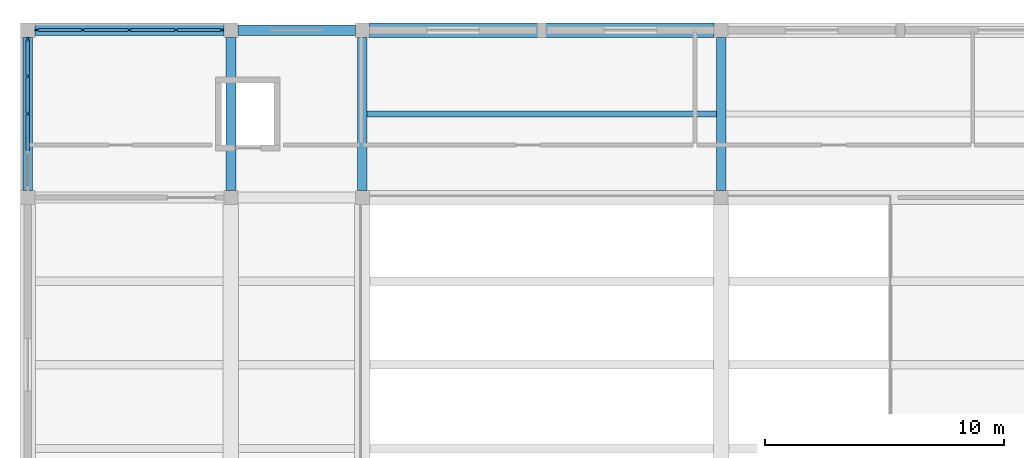
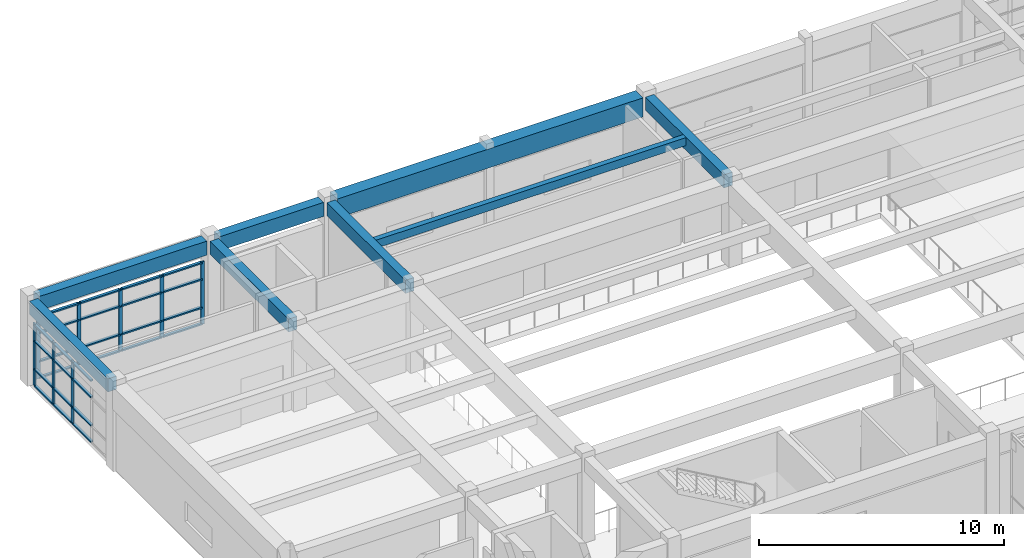
# One storey, part 29 of 72: 36 members, 8 beams, 2 elements without a shape of their own.
"""IFC4 building model written with IfcOpenShell, lengths in metres."""

from ifc_helpers import new_model, si_unit, direction, frame, origin, origin_2d, place, context, subcontext, project, spatial, rectangle, extrude, material, layer, layer_set, material_profile, profile_set, type_object, element, aggregate, save


model = new_model("IFC4")

# Units and contexts
model_context = context("Model", 3, precision=1e-05, world=origin(), true_north=direction((0.0, 1.0)))
body_context = subcontext(model_context, "Body", "Model", "MODEL_VIEW")
ifc_project = project(units=[si_unit("LENGTHUNIT", "METRE"), si_unit("AREAUNIT", "SQUARE_METRE"), si_unit("VOLUMEUNIT", "CUBIC_METRE"), si_unit("PLANEANGLEUNIT", "RADIAN"), si_unit("MASSUNIT", "GRAM", prefix="KILO")], contexts=[model_context])

# Site, building, storey
site_placement = place(None, origin())
site = spatial("IfcSite", under=ifc_project, at=site_placement, CompositionType="ELEMENT")
building_placement = place(site_placement, origin())
building = spatial("IfcBuilding", under=site, at=building_placement, Name="Naurynzar Civic Courthouse", CompositionType="ELEMENT")
storey_placement = place(building_placement, frame((0.0, 0.0, 9.89990234375)))
storey = spatial("IfcBuildingStorey", under=building, at=storey_placement, Name="L03", CompositionType="ELEMENT", Elevation=9.89990234375)

# Beams
ifc_material_1 = material(Name="Concrete C40/50", Category="concrete")
ifc_material_profile_1 = material_profile(ifc_material_1, rectangle(XDim=0.25, YDim=0.39990234375, at=origin_2d()), Name="RCB 250x400")
ifc_profile_set_1 = profile_set([ifc_material_profile_1], Name="Concrete C40/50")
beam_type_1 = type_object("IfcBeamType", Name="BM-JST-250x400", PredefinedType="JOIST", material=ifc_profile_set_1)
beam_1_placement = place(storey_placement, frame((20.199951171875, 68.5, 4.030029296875), z_axis=(1.0, 0.0, 0.0), x_axis=(0.0, 1.0, 0.0)))
element("IfcBeam", 1, at=beam_1_placement, inside=storey, type_object=beam_type_1, Name="V1 secondary rib 219 L03", PredefinedType="JOIST", context=body_context, shape_type="SweptSolid", body=[
    extrude(rectangle(XDim=0.25, YDim=0.39990234375, at=origin_2d()), origin(), (0.0, 0.0, 1.0), 14.60009765625),
])
ifc_material_2 = material(Name="Concrete C40/50", Category="concrete")
ifc_material_profile_2 = material_profile(ifc_material_2, rectangle(XDim=0.60009765625, YDim=0.949951171875, at=origin_2d()), Name="PTB 600x950")
ifc_profile_set_2 = profile_set([ifc_material_profile_2], Name="Concrete C40/50")
beam_type_2 = type_object("IfcBeamType", Name="BM-PT-600x950", PredefinedType="T_BEAM", material=ifc_profile_set_2)
beam_2_placement = place(storey_placement, frame((20.300048828125, 72.0, 3.755126953125), z_axis=(1.0, 0.0, 0.0), x_axis=(0.0, 1.0, 0.0)))
element("IfcBeam", 2, at=beam_2_placement, inside=storey, type_object=beam_type_2, Name="V1 beam X-182 L03", PredefinedType="T_BEAM", context=body_context, shape_type="SweptSolid", body=[
    extrude(rectangle(XDim=0.60009765625, YDim=0.949951171875, at=origin_2d()), origin(), (0.0, 0.0, 1.0), 14.39990234375),
])
ifc_material_3 = material(Name="Concrete C40/50", Category="concrete")
ifc_material_profile_3 = material_profile(ifc_material_3, rectangle(XDim=0.39990234375, YDim=0.64990234375, at=origin_2d()), Name="RCB 400x650")
ifc_profile_set_3 = profile_set([ifc_material_profile_3], Name="Concrete C40/50")
beam_type_3 = type_object("IfcBeamType", Name="BM-RC-400x650", PredefinedType="BEAM", material=ifc_profile_set_3)
for number, where, z_axis, x_axis, name in (
    (3, (6.0, 65.300048828125, 3.905029296875), (0.0, 1.0, 0.0), (-1.0, 0.0, 0.0), "V1 girder Y-187 L03"),
    (4, (14.5, 65.300048828125, 3.905029296875), (0.0, 1.0, 0.0), (-1.0, 0.0, 0.0), "V1 girder Y-190 L03"),
    (5, (20.0, 65.300048828125, 3.905029296875), (0.0, 1.0, 0.0), (-1.0, 0.0, 0.0), "V1 girder Y-193 L03"),
    (6, (35.0, 65.300048828125, 3.905029296875), (0.0, 1.0, 0.0), (-1.0, 0.0, 0.0), "V1 girder Y-196 L03"),
):
    element("IfcBeam", number, at=place(storey_placement, frame(where, z_axis=z_axis, x_axis=x_axis)), inside=storey, type_object=beam_type_3, Name=name, PredefinedType="BEAM", context=body_context, shape_type="SweptSolid", body=[
        extrude(rectangle(XDim=0.39990234375, YDim=0.64990234375, at=origin_2d()), origin(), (0.0, 0.0, 1.0), 6.39990234375),
    ])
ifc_material_4 = material(Name="Concrete C40/50", Category="concrete")
ifc_material_profile_4 = material_profile(ifc_material_4, rectangle(XDim=0.449951171875, YDim=0.699951171875, at=origin_2d()), Name="RCB 450x700")
ifc_profile_set_4 = profile_set([ifc_material_profile_4], Name="Concrete C40/50")
beam_type_4 = type_object("IfcBeamType", Name="BM-RC-450x700", PredefinedType="BEAM", material=ifc_profile_set_4)
beam_3_placement = place(storey_placement, frame((6.300048828125, 72.0, 3.880126953125), z_axis=(1.0, 0.0, 0.0), x_axis=(0.0, 1.0, 0.0)))
element("IfcBeam", 7, at=beam_3_placement, inside=storey, type_object=beam_type_4, Name="V1 beam X-180 L03", PredefinedType="BEAM", context=body_context, shape_type="SweptSolid", body=[
    extrude(rectangle(XDim=0.449951171875, YDim=0.699951171875, at=origin_2d()), origin(), (0.0, 0.0, 1.0), 7.89990234375),
])
beam_4_placement = place(storey_placement, frame((14.800048828125, 72.0, 3.880126953125), z_axis=(1.0, 0.0, 0.0), x_axis=(0.0, 1.0, 0.0)))
element("IfcBeam", 8, at=beam_4_placement, inside=storey, type_object=beam_type_4, Name="V1 beam X-181 L03", PredefinedType="BEAM", context=body_context, shape_type="SweptSolid", body=[
    extrude(rectangle(XDim=0.449951171875, YDim=0.699951171875, at=origin_2d()), origin(), (0.0, 0.0, 1.0), 4.89990234375),
])

# Curtain wall, members
ifc_material_5 = material(Name="Aluminium 6063-T6", Category="aluminium")
ifc_layer = layer(ifc_material_5, 0.159912109375)
ifc_layer_set = layer_set([ifc_layer], Name="CW-UNIT-1800")
curtain_wall_type = type_object("IfcCurtainWallType", Name="CW-UNIT-1800", PredefinedType="NOTDEFINED", material=ifc_layer_set)
curtain_wall_1_placement = place(storey_placement, origin())
curtain_wall_1 = element("IfcCurtainWall", 9, at=curtain_wall_1_placement, inside=storey, type_object=curtain_wall_type, Name="V1 unitised curtain wall 8 L03", PredefinedType="NOTDEFINED")
ifc_material_6 = material(Name="Aluminium 6063-T6", Category="aluminium")
ifc_material_profile_5 = material_profile(ifc_material_6, rectangle(XDim=0.070068359375, YDim=0.179931640625, at=origin_2d()), Name="ALU MULLION 70x180")
ifc_profile_set_5 = profile_set([ifc_material_profile_5], Name="Aluminium 6063-T6")
member_type_1 = type_object("IfcMemberType", Name="CWM-70x180", PredefinedType="MULLION", material=ifc_profile_set_5)
member_1_placement = place(storey_placement, frame((6.0, 68.5, 0.0), z_axis=(0.0, 0.0, 1.0), x_axis=(-1.0, 0.0, 0.0)))
member_1 = element("IfcMember", 10, at=member_1_placement, type_object=member_type_1, Name="CW-02 mullion 3", PredefinedType="MULLION", context=body_context, shape_type="SweptSolid", body=[
    extrude(rectangle(XDim=0.070068359375, YDim=0.179931640625, at=origin_2d()), origin(), (0.0, 0.0, 1.0), 3.110107421875),
])
member_2_placement = place(storey_placement, frame((6.0, 70.074951171875, 0.0), z_axis=(0.0, 0.0, 1.0), x_axis=(-1.0, 0.0, 0.0)))
member_2 = element("IfcMember", 11, at=member_2_placement, type_object=member_type_1, Name="CW-02 mullion 4", PredefinedType="MULLION", context=body_context, shape_type="SweptSolid", body=[
    extrude(rectangle(XDim=0.070068359375, YDim=0.179931640625, at=origin_2d()), origin(), (0.0, 0.0, 1.0), 3.110107421875),
])
member_3_placement = place(storey_placement, frame((6.0, 71.614990234375, 0.0), z_axis=(0.0, 0.0, 1.0), x_axis=(-1.0, 0.0, 0.0)))
member_3 = element("IfcMember", 12, at=member_3_placement, type_object=member_type_1, Name="CW-02 mullion 5", PredefinedType="MULLION", context=body_context, shape_type="SweptSolid", body=[
    extrude(rectangle(XDim=0.070068359375, YDim=0.179931640625, at=origin_2d()), origin(), (0.0, 0.0, 1.0), 3.110107421875),
])

curtain_wall_2_placement = place(storey_placement, origin())
curtain_wall_2 = element("IfcCurtainWall", 13, at=curtain_wall_2_placement, inside=storey, type_object=curtain_wall_type, Name="V1 unitised curtain wall 9 L03", PredefinedType="NOTDEFINED")
member_4_placement = place(storey_placement, frame((6.385009765625, 72.0, 0.0), z_axis=(0.0, 0.0, 1.0), x_axis=(0.0, 1.0, 0.0)))
member_4 = element("IfcMember", 14, at=member_4_placement, type_object=member_type_1, Name="CW-02 mullion 1", PredefinedType="MULLION", context=body_context, shape_type="SweptSolid", body=[
    extrude(rectangle(XDim=0.070068359375, YDim=0.179931640625, at=origin_2d()), origin(), (0.0, 0.0, 1.0), 3.110107421875),
])
member_5_placement = place(storey_placement, frame((8.300048828125, 72.0, 0.0), z_axis=(0.0, 0.0, 1.0), x_axis=(0.0, 1.0, 0.0)))
member_5 = element("IfcMember", 15, at=member_5_placement, type_object=member_type_1, Name="CW-02 mullion 2", PredefinedType="MULLION", context=body_context, shape_type="SweptSolid", body=[
    extrude(rectangle(XDim=0.070068359375, YDim=0.179931640625, at=origin_2d()), origin(), (0.0, 0.0, 1.0), 3.110107421875),
])
member_6_placement = place(storey_placement, frame((10.25, 72.0, 0.0), z_axis=(0.0, 0.0, 1.0), x_axis=(0.0, 1.0, 0.0)))
member_6 = element("IfcMember", 16, at=member_6_placement, type_object=member_type_1, Name="CW-02 mullion 3", PredefinedType="MULLION", context=body_context, shape_type="SweptSolid", body=[
    extrude(rectangle(XDim=0.070068359375, YDim=0.179931640625, at=origin_2d()), origin(), (0.0, 0.0, 1.0), 3.110107421875),
])
member_7_placement = place(storey_placement, frame((12.199951171875, 72.0, 0.0), z_axis=(0.0, 0.0, 1.0), x_axis=(0.0, 1.0, 0.0)))
member_7 = element("IfcMember", 17, at=member_7_placement, type_object=member_type_1, Name="CW-02 mullion 4", PredefinedType="MULLION", context=body_context, shape_type="SweptSolid", body=[
    extrude(rectangle(XDim=0.070068359375, YDim=0.179931640625, at=origin_2d()), origin(), (0.0, 0.0, 1.0), 3.110107421875),
])
member_8_placement = place(storey_placement, frame((14.114990234375, 72.0, 0.0), z_axis=(0.0, 0.0, 1.0), x_axis=(0.0, 1.0, 0.0)))
member_8 = element("IfcMember", 18, at=member_8_placement, type_object=member_type_1, Name="CW-02 mullion 5", PredefinedType="MULLION", context=body_context, shape_type="SweptSolid", body=[
    extrude(rectangle(XDim=0.070068359375, YDim=0.179931640625, at=origin_2d()), origin(), (0.0, 0.0, 1.0), 3.110107421875),
])

# Member
ifc_material_7 = material(Name="Aluminium 6063-T6", Category="aluminium")
ifc_material_profile_6 = material_profile(ifc_material_7, rectangle(XDim=0.1298828125, YDim=0.070068359375, at=origin_2d()), Name="ALU TRANSOM 70x130")
ifc_profile_set_6 = profile_set([ifc_material_profile_6], Name="Aluminium 6063-T6")
member_type_2 = type_object("IfcMemberType", Name="CWT-70x130", PredefinedType="USERDEFINED", material=ifc_profile_set_6)
member_9_placement = place(storey_placement, frame((6.0, 66.9599609375, 0.03515625), z_axis=(0.0, 1.0, 0.0), x_axis=(-1.0, 0.0, 0.0)))
member_9 = element("IfcMember", 19, at=member_9_placement, type_object=member_type_2, Name="CW-02 transom 2.1", ObjectType="TRANSOM", PredefinedType="USERDEFINED", context=body_context, shape_type="SweptSolid", body=[
    extrude(rectangle(XDim=0.1298828125, YDim=0.070068359375, at=origin_2d()), origin(), (0.0, 0.0, 1.0), 1.505126953125),
])

member_10_placement = place(storey_placement, frame((6.0, 66.9599609375, 0.85009765625), z_axis=(0.0, 1.0, 0.0), x_axis=(-1.0, 0.0, 0.0)))
member_10 = element("IfcMember", 20, at=member_10_placement, type_object=member_type_2, Name="CW-02 transom 2.2", ObjectType="TRANSOM", PredefinedType="USERDEFINED", context=body_context, shape_type="SweptSolid", body=[
    extrude(rectangle(XDim=0.1298828125, YDim=0.070068359375, at=origin_2d()), origin(), (0.0, 0.0, 1.0), 1.505126953125),
])

member_11_placement = place(storey_placement, frame((6.0, 66.9599609375, 2.260009765625), z_axis=(0.0, 1.0, 0.0), x_axis=(-1.0, 0.0, 0.0)))
member_11 = element("IfcMember", 21, at=member_11_placement, type_object=member_type_2, Name="CW-02 transom 2.3", ObjectType="TRANSOM", PredefinedType="USERDEFINED", context=body_context, shape_type="SweptSolid", body=[
    extrude(rectangle(XDim=0.1298828125, YDim=0.070068359375, at=origin_2d()), origin(), (0.0, 0.0, 1.0), 1.505126953125),
])

member_12_placement = place(storey_placement, frame((6.0, 66.9599609375, 3.0751953125), z_axis=(0.0, 1.0, 0.0), x_axis=(-1.0, 0.0, 0.0)))
member_12 = element("IfcMember", 22, at=member_12_placement, type_object=member_type_2, Name="CW-02 transom 2.4", ObjectType="TRANSOM", PredefinedType="USERDEFINED", context=body_context, shape_type="SweptSolid", body=[
    extrude(rectangle(XDim=0.1298828125, YDim=0.070068359375, at=origin_2d()), origin(), (0.0, 0.0, 1.0), 1.505126953125),
])

member_13_placement = place(storey_placement, frame((6.0, 68.534912109375, 0.03515625), z_axis=(0.0, 1.0, 0.0), x_axis=(-1.0, 0.0, 0.0)))
member_13 = element("IfcMember", 23, at=member_13_placement, type_object=member_type_2, Name="CW-02 transom 3.1", ObjectType="TRANSOM", PredefinedType="USERDEFINED", context=body_context, shape_type="SweptSolid", body=[
    extrude(rectangle(XDim=0.1298828125, YDim=0.070068359375, at=origin_2d()), origin(), (0.0, 0.0, 1.0), 1.505126953125),
])

member_14_placement = place(storey_placement, frame((6.0, 68.534912109375, 0.85009765625), z_axis=(0.0, 1.0, 0.0), x_axis=(-1.0, 0.0, 0.0)))
member_14 = element("IfcMember", 24, at=member_14_placement, type_object=member_type_2, Name="CW-02 transom 3.2", ObjectType="TRANSOM", PredefinedType="USERDEFINED", context=body_context, shape_type="SweptSolid", body=[
    extrude(rectangle(XDim=0.1298828125, YDim=0.070068359375, at=origin_2d()), origin(), (0.0, 0.0, 1.0), 1.505126953125),
])

member_15_placement = place(storey_placement, frame((6.0, 68.534912109375, 2.260009765625), z_axis=(0.0, 1.0, 0.0), x_axis=(-1.0, 0.0, 0.0)))
member_15 = element("IfcMember", 25, at=member_15_placement, type_object=member_type_2, Name="CW-02 transom 3.3", ObjectType="TRANSOM", PredefinedType="USERDEFINED", context=body_context, shape_type="SweptSolid", body=[
    extrude(rectangle(XDim=0.1298828125, YDim=0.070068359375, at=origin_2d()), origin(), (0.0, 0.0, 1.0), 1.505126953125),
])

member_16_placement = place(storey_placement, frame((6.0, 68.534912109375, 3.0751953125), z_axis=(0.0, 1.0, 0.0), x_axis=(-1.0, 0.0, 0.0)))
member_16 = element("IfcMember", 26, at=member_16_placement, type_object=member_type_2, Name="CW-02 transom 3.4", ObjectType="TRANSOM", PredefinedType="USERDEFINED", context=body_context, shape_type="SweptSolid", body=[
    extrude(rectangle(XDim=0.1298828125, YDim=0.070068359375, at=origin_2d()), origin(), (0.0, 0.0, 1.0), 1.505126953125),
])

member_17_placement = place(storey_placement, frame((6.0, 70.110107421875, 0.03515625), z_axis=(0.0, 1.0, 0.0), x_axis=(-1.0, 0.0, 0.0)))
member_17 = element("IfcMember", 27, at=member_17_placement, type_object=member_type_2, Name="CW-02 transom 4.1", ObjectType="TRANSOM", PredefinedType="USERDEFINED", context=body_context, shape_type="SweptSolid", body=[
    extrude(rectangle(XDim=0.1298828125, YDim=0.070068359375, at=origin_2d()), origin(), (0.0, 0.0, 1.0), 1.469970703125),
])

member_18_placement = place(storey_placement, frame((6.0, 70.110107421875, 0.85009765625), z_axis=(0.0, 1.0, 0.0), x_axis=(-1.0, 0.0, 0.0)))
member_18 = element("IfcMember", 28, at=member_18_placement, type_object=member_type_2, Name="CW-02 transom 4.2", ObjectType="TRANSOM", PredefinedType="USERDEFINED", context=body_context, shape_type="SweptSolid", body=[
    extrude(rectangle(XDim=0.1298828125, YDim=0.070068359375, at=origin_2d()), origin(), (0.0, 0.0, 1.0), 1.469970703125),
])

member_19_placement = place(storey_placement, frame((6.0, 70.110107421875, 2.260009765625), z_axis=(0.0, 1.0, 0.0), x_axis=(-1.0, 0.0, 0.0)))
member_19 = element("IfcMember", 29, at=member_19_placement, type_object=member_type_2, Name="CW-02 transom 4.3", ObjectType="TRANSOM", PredefinedType="USERDEFINED", context=body_context, shape_type="SweptSolid", body=[
    extrude(rectangle(XDim=0.1298828125, YDim=0.070068359375, at=origin_2d()), origin(), (0.0, 0.0, 1.0), 1.469970703125),
])

member_20_placement = place(storey_placement, frame((6.0, 70.110107421875, 3.0751953125), z_axis=(0.0, 1.0, 0.0), x_axis=(-1.0, 0.0, 0.0)))
member_20 = element("IfcMember", 30, at=member_20_placement, type_object=member_type_2, Name="CW-02 transom 4.4", ObjectType="TRANSOM", PredefinedType="USERDEFINED", context=body_context, shape_type="SweptSolid", body=[
    extrude(rectangle(XDim=0.1298828125, YDim=0.070068359375, at=origin_2d()), origin(), (0.0, 0.0, 1.0), 1.469970703125),
])

aggregate(curtain_wall_1, [member_1, member_2, member_3, member_9, member_10, member_11, member_12, member_13, member_14, member_15, member_16, member_17, member_18, member_19, member_20])

member_21_placement = place(storey_placement, frame((6.419921875, 72.0, 0.03515625), z_axis=(1.0, 0.0, 0.0), x_axis=(0.0, 1.0, 0.0)))
member_21 = element("IfcMember", 31, at=member_21_placement, type_object=member_type_2, Name="CW-02 transom 1.1", ObjectType="TRANSOM", PredefinedType="USERDEFINED", context=body_context, shape_type="SweptSolid", body=[
    extrude(rectangle(XDim=0.1298828125, YDim=0.070068359375, at=origin_2d()), origin(), (0.0, 0.0, 1.0), 1.844970703125),
])

member_22_placement = place(storey_placement, frame((6.419921875, 72.0, 0.85009765625), z_axis=(1.0, 0.0, 0.0), x_axis=(0.0, 1.0, 0.0)))
member_22 = element("IfcMember", 32, at=member_22_placement, type_object=member_type_2, Name="CW-02 transom 1.2", ObjectType="TRANSOM", PredefinedType="USERDEFINED", context=body_context, shape_type="SweptSolid", body=[
    extrude(rectangle(XDim=0.1298828125, YDim=0.070068359375, at=origin_2d()), origin(), (0.0, 0.0, 1.0), 1.844970703125),
])

member_23_placement = place(storey_placement, frame((6.419921875, 72.0, 2.260009765625), z_axis=(1.0, 0.0, 0.0), x_axis=(0.0, 1.0, 0.0)))
member_23 = element("IfcMember", 33, at=member_23_placement, type_object=member_type_2, Name="CW-02 transom 1.3", ObjectType="TRANSOM", PredefinedType="USERDEFINED", context=body_context, shape_type="SweptSolid", body=[
    extrude(rectangle(XDim=0.1298828125, YDim=0.070068359375, at=origin_2d()), origin(), (0.0, 0.0, 1.0), 1.844970703125),
])

member_24_placement = place(storey_placement, frame((6.419921875, 72.0, 3.0751953125), z_axis=(1.0, 0.0, 0.0), x_axis=(0.0, 1.0, 0.0)))
member_24 = element("IfcMember", 34, at=member_24_placement, type_object=member_type_2, Name="CW-02 transom 1.4", ObjectType="TRANSOM", PredefinedType="USERDEFINED", context=body_context, shape_type="SweptSolid", body=[
    extrude(rectangle(XDim=0.1298828125, YDim=0.070068359375, at=origin_2d()), origin(), (0.0, 0.0, 1.0), 1.844970703125),
])

member_25_placement = place(storey_placement, frame((8.3349609375, 72.0, 0.03515625), z_axis=(1.0, 0.0, 0.0), x_axis=(0.0, 1.0, 0.0)))
member_25 = element("IfcMember", 35, at=member_25_placement, type_object=member_type_2, Name="CW-02 transom 2.1", ObjectType="TRANSOM", PredefinedType="USERDEFINED", context=body_context, shape_type="SweptSolid", body=[
    extrude(rectangle(XDim=0.1298828125, YDim=0.070068359375, at=origin_2d()), origin(), (0.0, 0.0, 1.0), 1.880126953125),
])

member_26_placement = place(storey_placement, frame((8.3349609375, 72.0, 0.85009765625), z_axis=(1.0, 0.0, 0.0), x_axis=(0.0, 1.0, 0.0)))
member_26 = element("IfcMember", 36, at=member_26_placement, type_object=member_type_2, Name="CW-02 transom 2.2", ObjectType="TRANSOM", PredefinedType="USERDEFINED", context=body_context, shape_type="SweptSolid", body=[
    extrude(rectangle(XDim=0.1298828125, YDim=0.070068359375, at=origin_2d()), origin(), (0.0, 0.0, 1.0), 1.880126953125),
])

member_27_placement = place(storey_placement, frame((8.3349609375, 72.0, 2.260009765625), z_axis=(1.0, 0.0, 0.0), x_axis=(0.0, 1.0, 0.0)))
member_27 = element("IfcMember", 37, at=member_27_placement, type_object=member_type_2, Name="CW-02 transom 2.3", ObjectType="TRANSOM", PredefinedType="USERDEFINED", context=body_context, shape_type="SweptSolid", body=[
    extrude(rectangle(XDim=0.1298828125, YDim=0.070068359375, at=origin_2d()), origin(), (0.0, 0.0, 1.0), 1.880126953125),
])

member_28_placement = place(storey_placement, frame((8.3349609375, 72.0, 3.0751953125), z_axis=(1.0, 0.0, 0.0), x_axis=(0.0, 1.0, 0.0)))
member_28 = element("IfcMember", 38, at=member_28_placement, type_object=member_type_2, Name="CW-02 transom 2.4", ObjectType="TRANSOM", PredefinedType="USERDEFINED", context=body_context, shape_type="SweptSolid", body=[
    extrude(rectangle(XDim=0.1298828125, YDim=0.070068359375, at=origin_2d()), origin(), (0.0, 0.0, 1.0), 1.880126953125),
])

member_29_placement = place(storey_placement, frame((10.284912109375, 72.0, 0.03515625), z_axis=(1.0, 0.0, 0.0), x_axis=(0.0, 1.0, 0.0)))
member_29 = element("IfcMember", 39, at=member_29_placement, type_object=member_type_2, Name="CW-02 transom 3.1", ObjectType="TRANSOM", PredefinedType="USERDEFINED", context=body_context, shape_type="SweptSolid", body=[
    extrude(rectangle(XDim=0.1298828125, YDim=0.070068359375, at=origin_2d()), origin(), (0.0, 0.0, 1.0), 1.880126953125),
])

member_30_placement = place(storey_placement, frame((10.284912109375, 72.0, 0.85009765625), z_axis=(1.0, 0.0, 0.0), x_axis=(0.0, 1.0, 0.0)))
member_30 = element("IfcMember", 40, at=member_30_placement, type_object=member_type_2, Name="CW-02 transom 3.2", ObjectType="TRANSOM", PredefinedType="USERDEFINED", context=body_context, shape_type="SweptSolid", body=[
    extrude(rectangle(XDim=0.1298828125, YDim=0.070068359375, at=origin_2d()), origin(), (0.0, 0.0, 1.0), 1.880126953125),
])

member_31_placement = place(storey_placement, frame((10.284912109375, 72.0, 2.260009765625), z_axis=(1.0, 0.0, 0.0), x_axis=(0.0, 1.0, 0.0)))
member_31 = element("IfcMember", 41, at=member_31_placement, type_object=member_type_2, Name="CW-02 transom 3.3", ObjectType="TRANSOM", PredefinedType="USERDEFINED", context=body_context, shape_type="SweptSolid", body=[
    extrude(rectangle(XDim=0.1298828125, YDim=0.070068359375, at=origin_2d()), origin(), (0.0, 0.0, 1.0), 1.880126953125),
])

member_32_placement = place(storey_placement, frame((10.284912109375, 72.0, 3.0751953125), z_axis=(1.0, 0.0, 0.0), x_axis=(0.0, 1.0, 0.0)))
member_32 = element("IfcMember", 42, at=member_32_placement, type_object=member_type_2, Name="CW-02 transom 3.4", ObjectType="TRANSOM", PredefinedType="USERDEFINED", context=body_context, shape_type="SweptSolid", body=[
    extrude(rectangle(XDim=0.1298828125, YDim=0.070068359375, at=origin_2d()), origin(), (0.0, 0.0, 1.0), 1.880126953125),
])

member_33_placement = place(storey_placement, frame((12.235107421875, 72.0, 0.03515625), z_axis=(1.0, 0.0, 0.0), x_axis=(0.0, 1.0, 0.0)))
member_33 = element("IfcMember", 43, at=member_33_placement, type_object=member_type_2, Name="CW-02 transom 4.1", ObjectType="TRANSOM", PredefinedType="USERDEFINED", context=body_context, shape_type="SweptSolid", body=[
    extrude(rectangle(XDim=0.1298828125, YDim=0.070068359375, at=origin_2d()), origin(), (0.0, 0.0, 1.0), 1.844970703125),
])

member_34_placement = place(storey_placement, frame((12.235107421875, 72.0, 0.85009765625), z_axis=(1.0, 0.0, 0.0), x_axis=(0.0, 1.0, 0.0)))
member_34 = element("IfcMember", 44, at=member_34_placement, type_object=member_type_2, Name="CW-02 transom 4.2", ObjectType="TRANSOM", PredefinedType="USERDEFINED", context=body_context, shape_type="SweptSolid", body=[
    extrude(rectangle(XDim=0.1298828125, YDim=0.070068359375, at=origin_2d()), origin(), (0.0, 0.0, 1.0), 1.844970703125),
])

member_35_placement = place(storey_placement, frame((12.235107421875, 72.0, 2.260009765625), z_axis=(1.0, 0.0, 0.0), x_axis=(0.0, 1.0, 0.0)))
member_35 = element("IfcMember", 45, at=member_35_placement, type_object=member_type_2, Name="CW-02 transom 4.3", ObjectType="TRANSOM", PredefinedType="USERDEFINED", context=body_context, shape_type="SweptSolid", body=[
    extrude(rectangle(XDim=0.1298828125, YDim=0.070068359375, at=origin_2d()), origin(), (0.0, 0.0, 1.0), 1.844970703125),
])

member_36_placement = place(storey_placement, frame((12.235107421875, 72.0, 3.0751953125), z_axis=(1.0, 0.0, 0.0), x_axis=(0.0, 1.0, 0.0)))
member_36 = element("IfcMember", 46, at=member_36_placement, type_object=member_type_2, Name="CW-02 transom 4.4", ObjectType="TRANSOM", PredefinedType="USERDEFINED", context=body_context, shape_type="SweptSolid", body=[
    extrude(rectangle(XDim=0.1298828125, YDim=0.070068359375, at=origin_2d()), origin(), (0.0, 0.0, 1.0), 1.844970703125),
])

aggregate(curtain_wall_2, [member_4, member_5, member_6, member_7, member_8, member_21, member_22, member_23, member_24, member_25, member_26, member_27, member_28, member_29, member_30, member_31, member_32, member_33, member_34, member_35, member_36])

save(model, "model.ifc")
